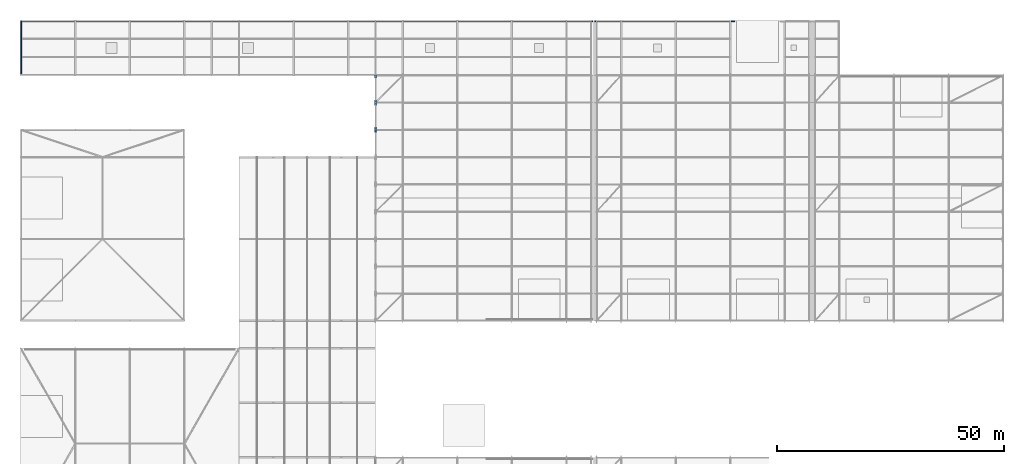
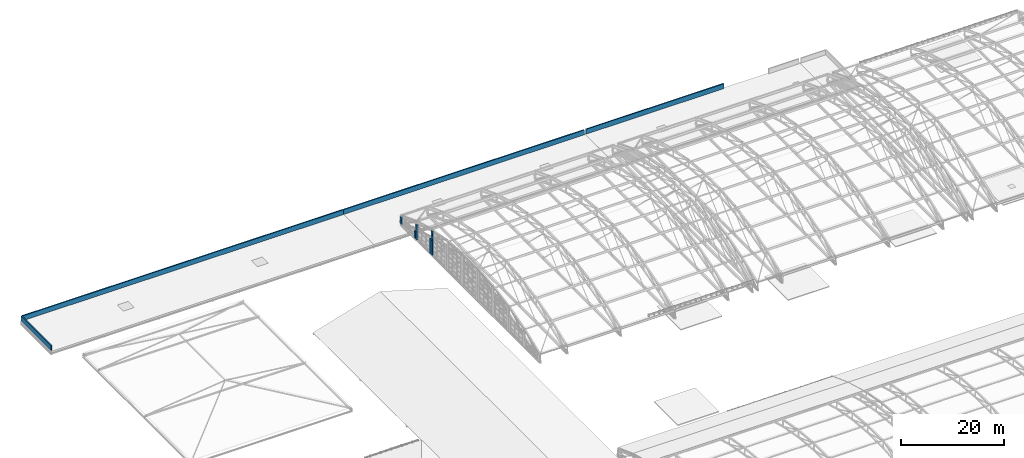
# One storey, part 195 of 204: 10 walls.
"""IFC4 building model written with IfcOpenShell, lengths in metres."""

from ifc_helpers import new_model, si_unit, direction, frame, frame_2d, origin, place, context, subcontext, project, spatial, rectangle, extrude, material, layer, layer_set, type_object, element, save


model = new_model("IFC4")

# Units and contexts
model_context = context("Model", 3, precision=1e-05, world=origin(), true_north=direction((0.0, 1.0)))
body_context = subcontext(model_context, "Body", "Model", "MODEL_VIEW")
ifc_project = project(units=[si_unit("LENGTHUNIT", "METRE"), si_unit("AREAUNIT", "SQUARE_METRE"), si_unit("VOLUMEUNIT", "CUBIC_METRE"), si_unit("PLANEANGLEUNIT", "RADIAN"), si_unit("MASSUNIT", "GRAM", prefix="KILO")], contexts=[model_context])

# Site, building, storey
site_placement = place(None, origin())
site = spatial("IfcSite", under=ifc_project, at=site_placement, CompositionType="ELEMENT")
building_placement = place(site_placement, origin())
building = spatial("IfcBuilding", under=site, at=building_placement, Name="Zilviju Railside Exhibition Hall", CompositionType="ELEMENT")
storey_placement = place(building_placement, frame((0.0, 0.0, 21.0)))
storey = spatial("IfcBuildingStorey", under=building, at=storey_placement, Name="RF", CompositionType="ELEMENT", Elevation=21.0)

# Walls
ifc_material_1 = material(Name="Insulated cream-brick upper facade wall", Category="masonry")
ifc_layer_1 = layer(ifc_material_1, 0.3798828125)
ifc_layer_set_1 = layer_set([ifc_layer_1], Name="Insulated cream-brick upper facade wall")
wall_type_1 = type_object("IfcWallType", Name="WL-EXT-380", PredefinedType="SOLIDWALL", material=ifc_layer_set_1)
wall_1_placement = place(storey_placement, frame((78.0, 125.449951171875, -3.60009765625), z_axis=(0.0, 0.0, 1.0), x_axis=(0.0, 1.0, 0.0)))
element("IfcWall", 1, at=wall_1_placement, inside=storey, type_object=wall_type_1, Name="Curtain-Wall Jamb Closure Pier RF 0338", PredefinedType="SOLIDWALL", context=body_context, shape_type="SweptSolid", body=[
    extrude(rectangle(XDim=0.550048828125, YDim=0.3798828125, at=frame_2d((0.27490234375, 0.0))), origin(), (0.0, 0.0, 1.0), 3.400146484375),
])
wall_2_placement = place(storey_placement, frame((78.0, 126.001953125, -3.60009765625), z_axis=(0.0, 0.0, 1.0), x_axis=(0.0, 1.0, 0.0)))
element("IfcWall", 2, at=wall_2_placement, inside=storey, type_object=wall_type_1, Name="Curtain-Wall Jamb Closure Pier RF 0339", PredefinedType="SOLIDWALL", context=body_context, shape_type="SweptSolid", body=[
    extrude(rectangle(XDim=0.548095703125, YDim=0.3798828125, at=frame_2d((0.27392578125, 0.0))), origin(), (0.0, 0.0, 1.0), 3.400146484375),
])
wall_3_placement = place(storey_placement, frame((78.0, 131.449951171875, -3.60009765625), z_axis=(0.0, 0.0, 1.0), x_axis=(0.0, 1.0, 0.0)))
element("IfcWall", 3, at=wall_3_placement, inside=storey, type_object=wall_type_1, Name="Curtain-Wall Jamb Closure Pier RF 0340", PredefinedType="SOLIDWALL", context=body_context, shape_type="SweptSolid", body=[
    extrude(rectangle(XDim=0.550048828125, YDim=0.3798828125, at=frame_2d((0.27490234375, 0.0))), origin(), (0.0, 0.0, 1.0), 3.400146484375),
])
wall_4_placement = place(storey_placement, frame((78.0, 132.001953125, -3.60009765625), z_axis=(0.0, 0.0, 1.0), x_axis=(0.0, 1.0, 0.0)))
element("IfcWall", 4, at=wall_4_placement, inside=storey, type_object=wall_type_1, Name="Curtain-Wall Jamb Closure Pier RF 0341", PredefinedType="SOLIDWALL", context=body_context, shape_type="SweptSolid", body=[
    extrude(rectangle(XDim=0.548095703125, YDim=0.3798828125, at=frame_2d((0.27392578125, 0.0))), origin(), (0.0, 0.0, 1.0), 1.60009765625),
])
wall_5_placement = place(storey_placement, frame((78.0, 137.449951171875, -3.60009765625), z_axis=(0.0, 0.0, 1.0), x_axis=(0.0, 1.0, 0.0)))
element("IfcWall", 5, at=wall_5_placement, inside=storey, type_object=wall_type_1, Name="Curtain-Wall Jamb Closure Pier RF 0342", PredefinedType="SOLIDWALL", context=body_context, shape_type="SweptSolid", body=[
    extrude(rectangle(XDim=0.550048828125, YDim=0.3798828125, at=frame_2d((0.27490234375, 0.0))), origin(), (0.0, 0.0, 1.0), 1.60009765625),
])
wall_6_placement = place(storey_placement, frame((78.0, 125.449951171875, -0.199951171875), z_axis=(0.0, 0.0, 1.0), x_axis=(0.0, 1.0, 0.0)))
element("IfcWall", 6, at=wall_6_placement, inside=storey, type_object=wall_type_1, Name="Curtain-Wall Jamb Closure Pier RF 0352", PredefinedType="SOLIDWALL", context=body_context, shape_type="SweptSolid", body=[
    extrude(rectangle(XDim=0.550048828125, YDim=0.3798828125, at=frame_2d((0.27490234375, 0.0))), origin(), (0.0, 0.0, 1.0), 2.209716796875),
])
ifc_material_2 = material(Name="Capped granite-brick roof parapet wall", Category="masonry")
ifc_layer_2 = layer(ifc_material_2, 0.260009765625)
ifc_layer_set_2 = layer_set([ifc_layer_2], Name="Capped granite-brick roof parapet wall")
wall_type_2 = type_object("IfcWallType", Name="WL-PAR-260", PredefinedType="PARAPET", material=ifc_layer_set_2)
wall_7_placement = place(storey_placement, frame((0.14990234375, 149.85009765625, -6.60009765625), z_axis=(0.0, 0.0, 1.0), x_axis=(1.0, 0.0, 0.0)))
element("IfcWall", 7, at=wall_7_placement, inside=storey, type_object=wall_type_2, Name="Logistics Wing Acoustic Green Roof North Parapet 1", PredefinedType="PARAPET", context=body_context, shape_type="SweptSolid", body=[
    extrude(rectangle(XDim=71.85009765625, YDim=0.260009765625, at=frame_2d((35.925048828125, 0.0))), origin(), (0.0, 0.0, 1.0), 1.150146484375),
])
wall_8_placement = place(storey_placement, frame((72.0, 149.85009765625, -6.60009765625), z_axis=(0.0, 0.0, 1.0), x_axis=(1.0, 0.0, 0.0)))
element("IfcWall", 8, at=wall_8_placement, inside=storey, type_object=wall_type_2, Name="Logistics Wing Acoustic Green Roof North Parapet 2", PredefinedType="PARAPET", context=body_context, shape_type="SweptSolid", body=[
    extrude(rectangle(XDim=53.800048828125, YDim=0.260009765625, at=frame_2d((26.89990234375, 0.0))), origin(), (0.0, 0.0, 1.0), 1.150146484375),
])
wall_9_placement = place(storey_placement, frame((126.199951171875, 149.85009765625, -6.60009765625), z_axis=(0.0, 0.0, 1.0), x_axis=(1.0, 0.0, 0.0)))
element("IfcWall", 9, at=wall_9_placement, inside=storey, type_object=wall_type_2, Name="Logistics Wing Acoustic Green Roof North Parapet 3", PredefinedType="PARAPET", context=body_context, shape_type="SweptSolid", body=[
    extrude(rectangle(XDim=30.800048828125, YDim=0.260009765625, at=frame_2d((15.39990234375, 0.0))), origin(), (0.0, 0.0, 1.0), 1.150146484375),
])
wall_10_placement = place(storey_placement, frame((0.14990234375, 138.300048828125, -6.60009765625), z_axis=(0.0, 0.0, 1.0), x_axis=(0.0, 1.0, 0.0)))
element("IfcWall", 10, at=wall_10_placement, inside=storey, type_object=wall_type_2, Name="Logistics Wing Acoustic Green Roof W Parapet", PredefinedType="PARAPET", context=body_context, shape_type="SweptSolid", body=[
    extrude(rectangle(XDim=11.550048828125, YDim=0.260009765625, at=frame_2d((5.77490234375, 0.0))), origin(), (0.0, 0.0, 1.0), 1.150146484375),
])

save(model, "model.ifc")
